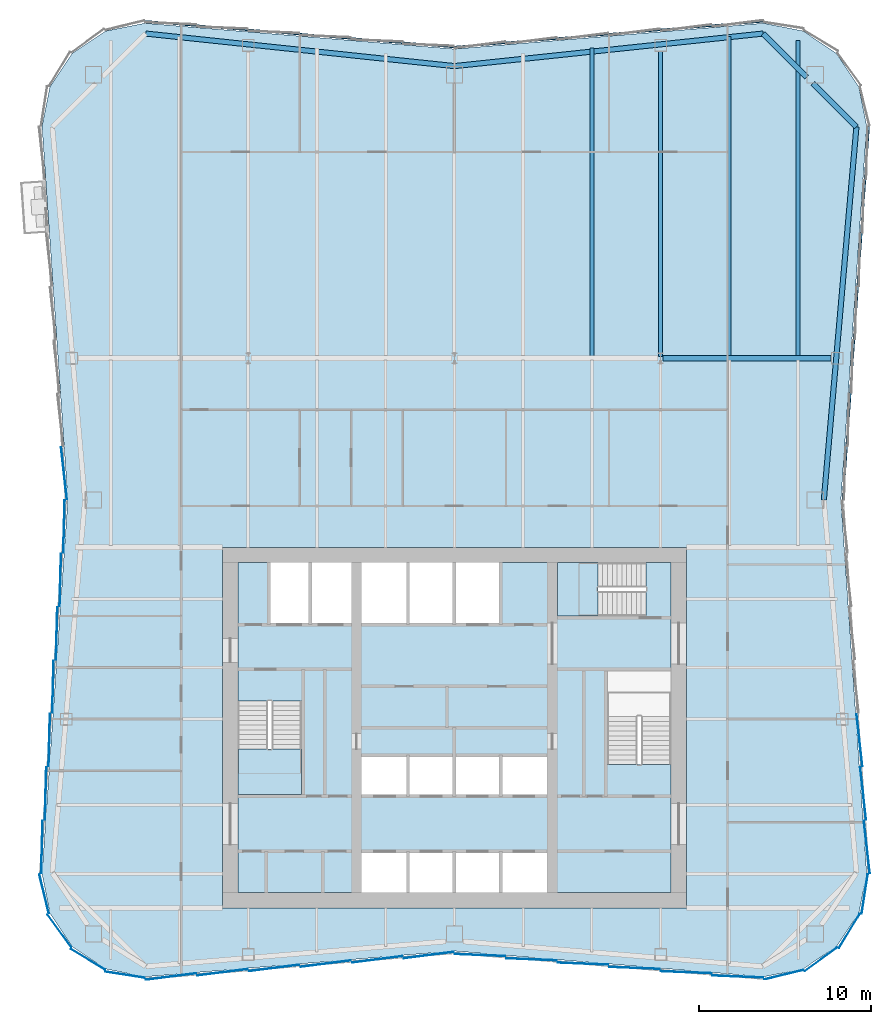
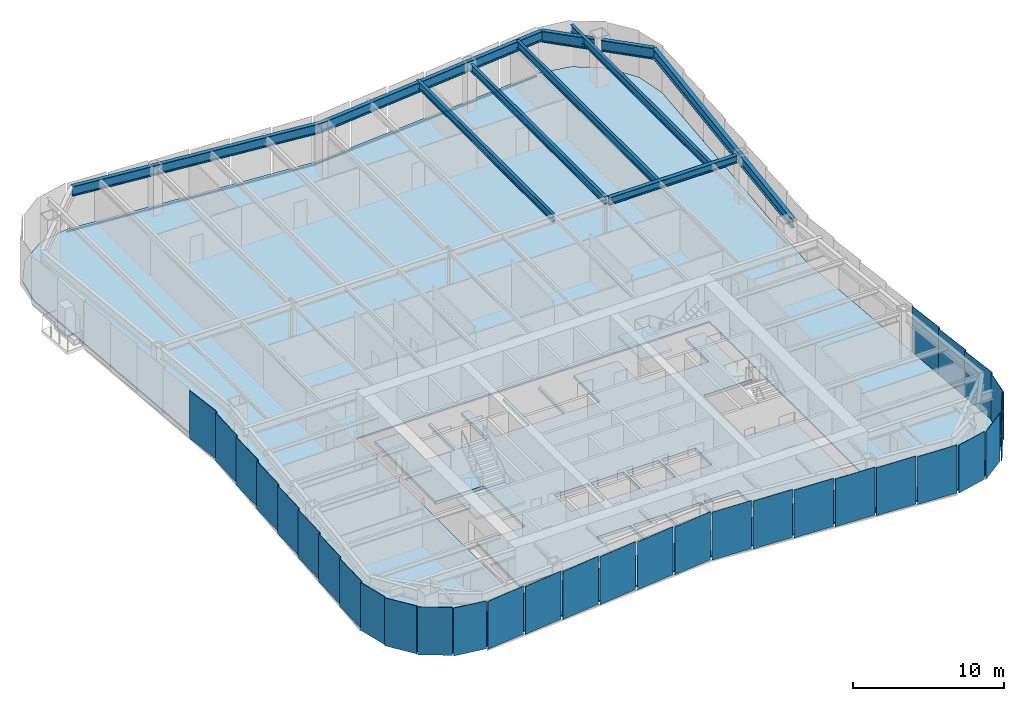
# One storey, part 3 of 10: 31 plates, 10 beams, 4 slabs, 3 members, 8 elements without a shape of their own.
"""IFC4 building model written with IfcOpenShell, lengths in metres."""

from ifc_helpers import new_model, si_unit, direction, frame, origin, origin_2d, place, context, subcontext, project, spatial, polyline, rectangle, i_section, outline, extrude, material, layer, layer_set, material_profile, profile_set, type_object, element, aggregate, save


model = new_model("IFC4")

# Units and contexts
model_context = context("Model", 3, precision=1e-05, world=origin(), true_north=direction((0.0, 1.0)))
body_context = subcontext(model_context, "Body", "Model", "MODEL_VIEW")
ifc_project = project(units=[si_unit("LENGTHUNIT", "METRE"), si_unit("AREAUNIT", "SQUARE_METRE"), si_unit("VOLUMEUNIT", "CUBIC_METRE"), si_unit("PLANEANGLEUNIT", "RADIAN"), si_unit("MASSUNIT", "GRAM", prefix="KILO")], contexts=[model_context])

# Site, building, storey
site_placement = place(None, origin())
site = spatial("IfcSite", under=ifc_project, at=site_placement, CompositionType="ELEMENT")
building_placement = place(site_placement, origin())
building = spatial("IfcBuilding", under=site, at=building_placement, Name="Verdant Reach Tower", CompositionType="ELEMENT")
storey_placement = place(building_placement, frame((0.0, 0.0, 202.0)))
storey = spatial("IfcBuildingStorey", under=building, at=storey_placement, Name="L46", CompositionType="ELEMENT", Elevation=202.0)

# Curtain wall, member
ifc_material_1 = material(Name="Anodised aluminium", Category="aluminium")
curtain_wall_type = type_object("IfcCurtainWallType", Name="EN-CW SYSTEM Z3", PredefinedType="NOTDEFINED", material=ifc_material_1)
curtain_wall_1_placement = place(storey_placement, origin())
curtain_wall_1 = element("IfcCurtainWall", 1, at=curtain_wall_1_placement, inside=storey, type_object=curtain_wall_type, Name="Curtain wall east, L46", PredefinedType="NOTDEFINED")
ifc_material_profile_1 = material_profile(ifc_material_1, rectangle(XDim=0.10009765625, YDim=0.1259765625, at=origin_2d()), Name="Transom 126x100")
ifc_profile_set_1 = profile_set([ifc_material_profile_1], Name="Anodised aluminium")
member_type = type_object("IfcMemberType", Name="EN-TRANSOM Z3", PredefinedType="USERDEFINED", material=ifc_profile_set_1)
member_1_placement = place(storey_placement, frame((22.611328125, 41.282958984375, -0.287109375), z_axis=(0.068764326054, 0.997632932226, 0.0), x_axis=(-0.997632932226, 0.068764326054, 0.0)))
member_1 = element("IfcMember", 2, at=member_1_placement, type_object=member_type, Name="Transom east face part 2 1.1, L46", ObjectType="TRANSOM", PredefinedType="USERDEFINED", context=body_context, shape_type="SweptSolid", body=[
    extrude(rectangle(XDim=0.10009765625, YDim=0.1259765625, at=origin_2d()), origin(), (0.0, 0.0, 1.0), 21.74267578125),
])

# Curtain wall, members
curtain_wall_2_placement = place(storey_placement, origin())
curtain_wall_2 = element("IfcCurtainWall", 3, at=curtain_wall_2_placement, inside=storey, type_object=curtain_wall_type, Name="Curtain wall north, L46", PredefinedType="NOTDEFINED")
member_2_placement = place(storey_placement, frame((17.973388671875, 69.106201171875, -0.287109375), z_axis=(-0.996548750467, -0.083009565369, 0.0), x_axis=(0.083009565369, -0.996548750467, 0.0)))
member_2 = element("IfcMember", 4, at=member_2_placement, type_object=member_type, Name="Transom north face part 1 1.1, L46", ObjectType="TRANSOM", PredefinedType="USERDEFINED", context=body_context, shape_type="SweptSolid", body=[
    extrude(rectangle(XDim=0.10009765625, YDim=0.1259765625, at=origin_2d()), origin(), (0.0, 0.0, 1.0), 18.00244140625),
])
member_3_placement = place(storey_placement, frame((-0.032958984375, 67.61181640625, -0.287109375), z_axis=(-0.996548750467, 0.083009565369, 0.0), x_axis=(-0.083009565369, -0.996548750467, 0.0)))
member_3 = element("IfcMember", 5, at=member_3_placement, type_object=member_type, Name="Transom north face part 2 1.1, L46", ObjectType="TRANSOM", PredefinedType="USERDEFINED", context=body_context, shape_type="SweptSolid", body=[
    extrude(rectangle(XDim=0.10009765625, YDim=0.1259765625, at=origin_2d()), origin(), (0.0, 0.0, 1.0), 18.00244140625),
])
aggregate(curtain_wall_2, [member_2, member_3])

# Beams
ifc_material_2 = material(Name="Steel S355", Category="steel")
ifc_material_profile_2 = material_profile(ifc_material_2, i_section(OverallWidth=0.300048828125, OverallDepth=0.60009765625, WebThickness=0.015380859375, FlangeThickness=0.030029296875, FilletRadius=0.027099609375, at=origin_2d()), Name="HEB 600")
ifc_profile_set_2 = profile_set([ifc_material_profile_2], Name="Steel S355")
beam_type_1 = type_object("IfcBeamType", Name="ST-BEAM-HEB600", PredefinedType="BEAM", material=ifc_profile_set_2)
beam_1_placement = place(storey_placement, frame((12.152587890625, 49.5, 3.570068359375), z_axis=(1.0, 0.0, 0.0), x_axis=(0.0, 1.0, 0.0)))
element("IfcBeam", 6, at=beam_1_placement, inside=storey, type_object=beam_type_1, Name="Row girder, L46", PredefinedType="BEAM", context=body_context, shape_type="SweptSolid", body=[
    extrude(i_section(OverallWidth=0.300048828125, OverallDepth=0.60009765625, WebThickness=0.015380859375, FlangeThickness=0.030029296875, FilletRadius=0.027099609375, at=origin_2d()), origin(), (0.0, 0.0, 1.0), 9.766357421875),
])
ifc_material_profile_3 = material_profile(ifc_material_2, i_section(OverallWidth=0.219970703125, OverallDepth=0.60009765625, WebThickness=0.011962890625, FlangeThickness=0.01904296875, FilletRadius=0.02392578125, at=origin_2d()), Name="IPE 600")
ifc_profile_set_3 = profile_set([ifc_material_profile_3], Name="Steel S355")
beam_type_2 = type_object("IfcBeamType", Name="ST-JOIST-IPE600", PredefinedType="JOIST", material=ifc_profile_set_3)
beam_2_placement = place(storey_placement, frame((8.0, 49.60009765625, 3.570068359375), z_axis=(0.0, 1.0, 0.0), x_axis=(-1.0, 0.0, 0.0)))
element("IfcBeam", 7, at=beam_2_placement, inside=storey, type_object=beam_type_2, Name="Floor joist, L46", PredefinedType="JOIST", context=body_context, shape_type="SweptSolid", body=[
    extrude(i_section(OverallWidth=0.219970703125, OverallDepth=0.60009765625, WebThickness=0.011962890625, FlangeThickness=0.01904296875, FilletRadius=0.02392578125, at=origin_2d()), origin(), (0.0, 0.0, 1.0), 17.964599609375),
])
beam_3_placement = place(storey_placement, frame((12.0, 49.60009765625, 3.570068359375), z_axis=(0.0, 1.0, 0.0), x_axis=(-1.0, 0.0, 0.0)))
element("IfcBeam", 8, at=beam_3_placement, inside=storey, type_object=beam_type_2, Name="Floor joist, L46", PredefinedType="JOIST", context=body_context, shape_type="SweptSolid", body=[
    extrude(i_section(OverallWidth=0.219970703125, OverallDepth=0.60009765625, WebThickness=0.011962890625, FlangeThickness=0.01904296875, FilletRadius=0.02392578125, at=origin_2d()), origin(), (0.0, 0.0, 1.0), 17.75),
])
beam_4_placement = place(storey_placement, frame((16.0, 49.60009765625, 3.570068359375), z_axis=(0.0, 1.0, 0.0), x_axis=(-1.0, 0.0, 0.0)))
element("IfcBeam", 9, at=beam_4_placement, inside=storey, type_object=beam_type_2, Name="Floor joist, L46", PredefinedType="JOIST", context=body_context, shape_type="SweptSolid", body=[
    extrude(i_section(OverallWidth=0.219970703125, OverallDepth=0.60009765625, WebThickness=0.011962890625, FlangeThickness=0.01904296875, FilletRadius=0.02392578125, at=origin_2d()), origin(), (0.0, 0.0, 1.0), 18.631103515625),
])
beam_5_placement = place(storey_placement, frame((20.0, 49.60009765625, 3.570068359375), z_axis=(0.0, 1.0, 0.0), x_axis=(-1.0, 0.0, 0.0)))
element("IfcBeam", 10, at=beam_5_placement, inside=storey, type_object=beam_type_2, Name="Floor joist, L46", PredefinedType="JOIST", context=body_context, shape_type="SweptSolid", body=[
    extrude(i_section(OverallWidth=0.219970703125, OverallDepth=0.60009765625, WebThickness=0.011962890625, FlangeThickness=0.01904296875, FilletRadius=0.02392578125, at=origin_2d()), origin(), (0.0, 0.0, 1.0), 18.390380859375),
])
ifc_material_profile_4 = material_profile(ifc_material_2, i_section(OverallWidth=0.300048828125, OverallDepth=0.800048828125, WebThickness=0.017578125, FlangeThickness=0.032958984375, FilletRadius=0.030029296875, at=origin_2d()), Name="HEB 800")
ifc_profile_set_4 = profile_set([ifc_material_profile_4], Name="Steel S355")
beam_type_3 = type_object("IfcBeamType", Name="ST-SPANDREL-HEB800", PredefinedType="SPANDREL", material=ifc_profile_set_4)
for number, where, z_axis, x_axis, name in (
    (11, (-17.9658203125, 68.39501953125, 3.469970703125), (0.994483067002, -0.104897232783, 0.0), (0.104897232783, 0.994483067002, 0.0), "Edge beam, L46"),
    (12, (0.0, 66.5, 3.469970703125), (0.994483067002, 0.104897232783, 0.0), (-0.104897232783, 0.994483067002, 0.0), "Edge beam, L46"),
):
    element("IfcBeam", number, at=place(storey_placement, frame(where, z_axis=z_axis, x_axis=x_axis)), inside=storey, type_object=beam_type_3, Name=name, PredefinedType="SPANDREL", context=body_context, shape_type="SweptSolid", body=[
        extrude(i_section(OverallWidth=0.300048828125, OverallDepth=0.800048828125, WebThickness=0.017578125, FlangeThickness=0.032958984375, FilletRadius=0.030029296875, at=origin_2d()), origin(), (0.0, 0.0, 1.0), 18.0654296875),
    ])
beam_6_placement = place(storey_placement, frame((23.39599609375, 62.96142578125, 3.469970703125), z_axis=(-0.086996024331, -0.996208658741, 0.0), x_axis=(0.996208658741, -0.086996024331, 0.0)))
element("IfcBeam", 13, at=beam_6_placement, inside=storey, type_object=beam_type_3, Name="Edge beam, L46", PredefinedType="SPANDREL", context=body_context, shape_type="SweptSolid", body=[
    extrude(i_section(OverallWidth=0.300048828125, OverallDepth=0.800048828125, WebThickness=0.017578125, FlangeThickness=0.032958984375, FilletRadius=0.030029296875, at=origin_2d()), origin(), (0.0, 0.0, 1.0), 21.7939453125),
])
ifc_material_profile_5 = material_profile(ifc_material_2, i_section(OverallWidth=0.302001953125, OverallDepth=0.909912109375, WebThickness=0.02099609375, FlangeThickness=0.0400390625, FilletRadius=0.030029296875, at=origin_2d()), Name="HEM 900")
ifc_profile_set_5 = profile_set([ifc_material_profile_5], Name="Steel S355")
beam_type_4 = type_object("IfcBeamType", Name="ST-SPANDREL-HEM900", PredefinedType="SPANDREL", material=ifc_profile_set_5)
beam_7_placement = place(storey_placement, frame((17.9658203125, 68.39501953125, 3.4150390625), z_axis=(0.706868394255, -0.707345087777, 0.0), x_axis=(0.707345087777, 0.706868394255, 0.0)))
element("IfcBeam", 14, at=beam_7_placement, inside=storey, type_object=beam_type_4, Name="Edge beam, L46", PredefinedType="SPANDREL", context=body_context, shape_type="SweptSolid", body=[
    extrude(i_section(OverallWidth=0.302001953125, OverallDepth=0.909912109375, WebThickness=0.02099609375, FlangeThickness=0.0400390625, FilletRadius=0.030029296875, at=origin_2d()), origin(), (0.0, 0.0, 1.0), 3.5849609375),
])
beam_8_placement = place(storey_placement, frame((20.85888671875, 65.5, 3.4150390625), z_axis=(0.706902680526, -0.707310822952, 0.0), x_axis=(0.707310822952, 0.706902680526, 0.0)))
element("IfcBeam", 15, at=beam_8_placement, inside=storey, type_object=beam_type_4, Name="Edge beam, L46", PredefinedType="SPANDREL", context=body_context, shape_type="SweptSolid", body=[
    extrude(i_section(OverallWidth=0.302001953125, OverallDepth=0.909912109375, WebThickness=0.02099609375, FlangeThickness=0.0400390625, FilletRadius=0.030029296875, at=origin_2d()), origin(), (0.0, 0.0, 1.0), 3.589111328125),
])

# Stair, slab
ifc_material_3 = material(Name="Concrete C40/50", Category="concrete")
stair_type = type_object("IfcStairType", Name="CO-STAIR", PredefinedType="HALF_TURN_STAIR", material=ifc_material_3)
stair_1_placement = place(storey_placement, origin())
stair_1 = element("IfcStair", 16, at=stair_1_placement, inside=storey, type_object=stair_type, Name="L46 Exit stair 1", PredefinedType="HALF_TURN_STAIR")
ifc_layer_1 = layer(ifc_material_3, 0.199951171875)
ifc_layer_set_1 = layer_set([ifc_layer_1], Name="CO-STAIR-LANDING")
slab_type_1 = type_object("IfcSlabType", Name="CO-STAIR-LANDING", PredefinedType="LANDING", material=ifc_layer_set_1)
slab_1_placement = place(storey_placement, frame((0.0, 0.0, 1.800048828125)))
slab_1 = element("IfcSlab", 17, at=slab_1_placement, type_object=slab_type_1, Name="ST-1 landing 1", PredefinedType="LANDING", context=body_context, shape_type="SweptSolid", body=[
    extrude(outline(polyline([(-12.60009765625, 26.75), (-12.60009765625, 24.10009765625), (-8.89990234375, 24.10009765625), (-8.89990234375, 26.75), (-12.60009765625, 26.75)])), origin(), (0.0, 0.0, 1.0), 0.199951171875),
])
aggregate(stair_1, [slab_1])

stair_2_placement = place(storey_placement, origin())
stair_2 = element("IfcStair", 18, at=stair_2_placement, inside=storey, type_object=stair_type, Name="L46 Exit stair 3", PredefinedType="HALF_TURN_STAIR")
slab_2_placement = place(storey_placement, frame((0.0, 0.0, 1.800048828125)))
slab_2 = element("IfcSlab", 19, at=slab_2_placement, type_object=slab_type_1, Name="ST-3 landing 1", PredefinedType="LANDING", context=body_context, shape_type="SweptSolid", body=[
    extrude(outline(polyline([(8.35009765625, 37.60009765625), (6.0, 37.60009765625), (6.0, 34.5), (8.35009765625, 34.5), (8.35009765625, 37.60009765625)])), origin(), (0.0, 0.0, 1.0), 0.199951171875),
])
aggregate(stair_2, [slab_2])

# Curtain wall, plate
curtain_wall_3_placement = place(storey_placement, origin())
curtain_wall_3 = element("IfcCurtainWall", 20, at=curtain_wall_3_placement, inside=storey, type_object=curtain_wall_type, Name="Curtain wall south-east corner, L46", PredefinedType="NOTDEFINED")
ifc_material_4 = material(Name="Tinted glass with champagne spandrel", Category="glass")
ifc_layer_2 = layer(ifc_material_4, 0.031982421875)
ifc_layer_set_2 = layer_set([ifc_layer_2], Name="EN-PANEL CHAMPAGNE")
plate_type_1 = type_object("IfcPlateType", Name="EN-PANEL CHAMPAGNE", PredefinedType="CURTAIN_PANEL", material=ifc_layer_set_2)
plate_1_placement = place(storey_placement, frame((19.171875, 13.62353515625, -0.22412109375), z_axis=(0.0, 0.0, 1.0), x_axis=(0.971655117833, 0.236402901821, 0.0)))
plate_1 = element("IfcPlate", 21, at=plate_1_placement, type_object=plate_type_1, Name="Glass panel south-east corner 1.1, L46", PredefinedType="CURTAIN_PANEL", context=body_context, shape_type="SweptSolid", body=[
    extrude(rectangle(XDim=2.3154296875, YDim=0.031982421875, at=origin_2d()), origin(), (0.0, 0.0, 1.0), 3.8740234375),
])

# Curtain wall, plates
curtain_wall_4_placement = place(storey_placement, origin())
curtain_wall_4 = element("IfcCurtainWall", 22, at=curtain_wall_4_placement, inside=storey, type_object=curtain_wall_type, Name="Curtain wall west, L46", PredefinedType="NOTDEFINED")
plate_2_placement = place(storey_placement, frame((-23.358642578125, 30.382568359375, -0.22412109375), z_axis=(0.0, 0.0, 1.0), x_axis=(-0.026965318308, -0.999636369691, 0.0)))
plate_2 = element("IfcPlate", 23, at=plate_2_placement, type_object=plate_type_1, Name="Glass panel west face part 2 4.1, L46", PredefinedType="CURTAIN_PANEL", context=body_context, shape_type="SweptSolid", body=[
    extrude(rectangle(XDim=3.052490234375, YDim=0.031982421875, at=origin_2d()), origin(), (0.0, 0.0, 1.0), 3.8740234375),
])
plate_3_placement = place(storey_placement, frame((-23.572998046875, 27.275390625, -0.22412109375), z_axis=(0.0, 0.0, 1.0), x_axis=(-0.026965318308, -0.999636369691, 0.0)))
plate_3 = element("IfcPlate", 24, at=plate_3_placement, type_object=plate_type_1, Name="Glass panel west face part 2 5.1, L46", PredefinedType="CURTAIN_PANEL", context=body_context, shape_type="SweptSolid", body=[
    extrude(rectangle(XDim=3.052490234375, YDim=0.031982421875, at=origin_2d()), origin(), (0.0, 0.0, 1.0), 3.8740234375),
])

curtain_wall_5_placement = place(storey_placement, origin())
curtain_wall_5 = element("IfcCurtainWall", 25, at=curtain_wall_5_placement, inside=storey, type_object=curtain_wall_type, Name="Curtain wall south-west corner, L46", PredefinedType="NOTDEFINED")
plate_4_placement = place(storey_placement, frame((-22.98193359375, 16.171142578125, -0.22412109375), z_axis=(0.0, 0.0, 1.0), x_axis=(0.589926747542, -0.807456768214, 0.0)))
plate_4 = element("IfcPlate", 26, at=plate_4_placement, type_object=plate_type_1, Name="Glass panel south-west corner 2.1, L46", PredefinedType="CURTAIN_PANEL", context=body_context, shape_type="SweptSolid", body=[
    extrude(rectangle(XDim=2.321533203125, YDim=0.031982421875, at=origin_2d()), origin(), (0.0, 0.0, 1.0), 3.8740234375),
])
plate_5_placement = place(storey_placement, frame((-21.328857421875, 14.51806640625, -0.22412109375), z_axis=(0.0, 0.0, 1.0), x_axis=(0.853988701636, -0.520291550457, 0.0)))
plate_5 = element("IfcPlate", 27, at=plate_5_placement, type_object=plate_type_1, Name="Glass panel south-west corner 3.1, L46", PredefinedType="CURTAIN_PANEL", context=body_context, shape_type="SweptSolid", body=[
    extrude(rectangle(XDim=2.321533203125, YDim=0.031982421875, at=origin_2d()), origin(), (0.0, 0.0, 1.0), 3.8740234375),
])
plate_6_placement = place(storey_placement, frame((-19.171875, 13.62353515625, -0.22412109375), z_axis=(0.0, 0.0, 1.0), x_axis=(0.988029071555, -0.154267798848, 0.0)))
plate_6 = element("IfcPlate", 28, at=plate_6_placement, type_object=plate_type_1, Name="Glass panel south-west corner 4.1, L46", PredefinedType="CURTAIN_PANEL", context=body_context, shape_type="SweptSolid", body=[
    extrude(rectangle(XDim=2.3154296875, YDim=0.031982421875, at=origin_2d()), origin(), (0.0, 0.0, 1.0), 3.8740234375),
])

curtain_wall_6_placement = place(storey_placement, origin())
curtain_wall_6 = element("IfcCurtainWall", 29, at=curtain_wall_6_placement, inside=storey, type_object=curtain_wall_type, Name="Curtain wall south, L46", PredefinedType="NOTDEFINED")
plate_7_placement = place(storey_placement, frame((-16.49853515625, 13.516357421875, -0.22412109375), z_axis=(0.0, 0.0, 1.0), x_axis=(0.992237766434, 0.124355196363, 0.0)))
plate_7 = element("IfcPlate", 30, at=plate_7_placement, type_object=plate_type_1, Name="Glass panel south face part 1 1.1, L46", PredefinedType="CURTAIN_PANEL", context=body_context, shape_type="SweptSolid", body=[
    extrude(rectangle(XDim=2.963623046875, YDim=0.031982421875, at=origin_2d()), origin(), (0.0, 0.0, 1.0), 3.8740234375),
])
plate_8_placement = place(storey_placement, frame((1.495361328125, 14.76611328125, -0.22412109375), z_axis=(0.0, 0.0, 1.0), x_axis=(0.999144020525, -0.041366970501, 0.0)))
plate_8 = element("IfcPlate", 31, at=plate_8_placement, type_object=plate_type_1, Name="Glass panel south face part 2 1.1, L46", PredefinedType="CURTAIN_PANEL", context=body_context, shape_type="SweptSolid", body=[
    extrude(rectangle(XDim=2.939453125, YDim=0.031982421875, at=origin_2d()), origin(), (0.0, 0.0, 1.0), 3.8740234375),
])
plate_9_placement = place(storey_placement, frame((4.490966796875, 14.516357421875, -0.22412109375), z_axis=(0.0, 0.0, 1.0), x_axis=(0.999149202059, -0.041241629766, 0.0)))
plate_9 = element("IfcPlate", 32, at=plate_9_placement, type_object=plate_type_1, Name="Glass panel south face part 2 2.1, L46", PredefinedType="CURTAIN_PANEL", context=body_context, shape_type="SweptSolid", body=[
    extrude(rectangle(XDim=2.948486328125, YDim=0.031982421875, at=origin_2d()), origin(), (0.0, 0.0, 1.0), 3.8740234375),
])
plate_10_placement = place(storey_placement, frame((7.490966796875, 14.266357421875, -0.22412109375), z_axis=(0.0, 0.0, 1.0), x_axis=(0.999149202059, -0.041241629766, 0.0)))
plate_10 = element("IfcPlate", 33, at=plate_10_placement, type_object=plate_type_1, Name="Glass panel south face part 2 3.1, L46", PredefinedType="CURTAIN_PANEL", context=body_context, shape_type="SweptSolid", body=[
    extrude(rectangle(XDim=2.948486328125, YDim=0.031982421875, at=origin_2d()), origin(), (0.0, 0.0, 1.0), 3.8740234375),
])

# Plate
ifc_material_5 = material(Name="Tinted glass with copper spandrel", Category="glass")
ifc_layer_3 = layer(ifc_material_5, 0.031982421875)
ifc_layer_set_3 = layer_set([ifc_layer_3], Name="EN-PANEL COPPER")
plate_type_2 = type_object("IfcPlateType", Name="EN-PANEL COPPER", PredefinedType="CURTAIN_PANEL", material=ifc_layer_set_3)
plate_11_placement = place(storey_placement, frame((21.328857421875, 14.51806640625, -0.22412109375), z_axis=(0.0, 0.0, 1.0), x_axis=(0.807456768214, 0.589926747542, 0.0)))
plate_11 = element("IfcPlate", 34, at=plate_11_placement, type_object=plate_type_2, Name="Glass panel south-east corner 2.1, L46", PredefinedType="CURTAIN_PANEL", context=body_context, shape_type="SweptSolid", body=[
    extrude(rectangle(XDim=2.321533203125, YDim=0.031982421875, at=origin_2d()), origin(), (0.0, 0.0, 1.0), 3.8740234375),
])

plate_12_placement = place(storey_placement, frame((22.98193359375, 16.171142578125, -0.22412109375), z_axis=(0.0, 0.0, 1.0), x_axis=(0.520291550457, 0.853988701636, 0.0)))
plate_12 = element("IfcPlate", 35, at=plate_12_placement, type_object=plate_type_2, Name="Glass panel south-east corner 3.1, L46", PredefinedType="CURTAIN_PANEL", context=body_context, shape_type="SweptSolid", body=[
    extrude(rectangle(XDim=2.321533203125, YDim=0.031982421875, at=origin_2d()), origin(), (0.0, 0.0, 1.0), 3.8740234375),
])

plate_13_placement = place(storey_placement, frame((23.87646484375, 18.32763671875, -0.22412109375), z_axis=(0.0, 0.0, 1.0), x_axis=(0.154311870796, 0.988022189291, 0.0)))
plate_13 = element("IfcPlate", 36, at=plate_13_placement, type_object=plate_type_2, Name="Glass panel south-east corner 4.1, L46", PredefinedType="CURTAIN_PANEL", context=body_context, shape_type="SweptSolid", body=[
    extrude(rectangle(XDim=2.314697265625, YDim=0.031982421875, at=origin_2d()), origin(), (0.0, 0.0, 1.0), 3.8740234375),
])

aggregate(curtain_wall_3, [plate_1, plate_11, plate_12, plate_13])

plate_14_placement = place(storey_placement, frame((24.001708984375, 21.053955078125, -0.22412109375), z_axis=(0.0, 0.0, 1.0), x_axis=(-0.110214229533, 0.993907854687, 0.0)))
plate_14 = element("IfcPlate", 37, at=plate_14_placement, type_object=plate_type_2, Name="Glass panel east face part 1 1.1, L46", PredefinedType="CURTAIN_PANEL", context=body_context, shape_type="SweptSolid", body=[
    extrude(rectangle(XDim=3.06689453125, YDim=0.031982421875, at=origin_2d()), origin(), (0.0, 0.0, 1.0), 3.8740234375),
])

plate_15_placement = place(storey_placement, frame((23.787353515625, 24.168212890625, -0.22412109375), z_axis=(0.0, 0.0, 1.0), x_axis=(-0.110518162674, 0.993874104562, 0.0)))
plate_15 = element("IfcPlate", 38, at=plate_15_placement, type_object=plate_type_2, Name="Glass panel east face part 1 2.1, L46", PredefinedType="CURTAIN_PANEL", context=body_context, shape_type="SweptSolid", body=[
    extrude(rectangle(XDim=3.052490234375, YDim=0.031982421875, at=origin_2d()), origin(), (0.0, 0.0, 1.0), 3.8740234375),
])

plate_16_placement = place(storey_placement, frame((-23.787353515625, 24.168212890625, -0.22412109375), z_axis=(0.0, 0.0, 1.0), x_axis=(-0.026965318308, -0.999636369691, 0.0)))
plate_16 = element("IfcPlate", 39, at=plate_16_placement, type_object=plate_type_2, Name="Glass panel west face part 2 6.1, L46", PredefinedType="CURTAIN_PANEL", context=body_context, shape_type="SweptSolid", body=[
    extrude(rectangle(XDim=3.052490234375, YDim=0.031982421875, at=origin_2d()), origin(), (0.0, 0.0, 1.0), 3.8740234375),
])

plate_17_placement = place(storey_placement, frame((-24.001708984375, 21.053955078125, -0.22412109375), z_axis=(0.0, 0.0, 1.0), x_axis=(-0.026659626966, -0.999644568979, 0.0)))
plate_17 = element("IfcPlate", 40, at=plate_17_placement, type_object=plate_type_2, Name="Glass panel west face part 2 7.1, L46", PredefinedType="CURTAIN_PANEL", context=body_context, shape_type="SweptSolid", body=[
    extrude(rectangle(XDim=3.06689453125, YDim=0.031982421875, at=origin_2d()), origin(), (0.0, 0.0, 1.0), 3.8740234375),
])

plate_18_placement = place(storey_placement, frame((-13.490966796875, 13.766357421875, -0.22412109375), z_axis=(0.0, 0.0, 1.0), x_axis=(0.992194034542, 0.124703639961, 0.0)))
plate_18 = element("IfcPlate", 41, at=plate_18_placement, type_object=plate_type_2, Name="Glass panel south face part 1 2.1, L46", PredefinedType="CURTAIN_PANEL", context=body_context, shape_type="SweptSolid", body=[
    extrude(rectangle(XDim=2.948486328125, YDim=0.031982421875, at=origin_2d()), origin(), (0.0, 0.0, 1.0), 3.8740234375),
])

plate_19_placement = place(storey_placement, frame((-10.490966796875, 14.016357421875, -0.22412109375), z_axis=(0.0, 0.0, 1.0), x_axis=(0.992194034542, 0.124703639961, 0.0)))
plate_19 = element("IfcPlate", 42, at=plate_19_placement, type_object=plate_type_2, Name="Glass panel south face part 1 3.1, L46", PredefinedType="CURTAIN_PANEL", context=body_context, shape_type="SweptSolid", body=[
    extrude(rectangle(XDim=2.948486328125, YDim=0.031982421875, at=origin_2d()), origin(), (0.0, 0.0, 1.0), 3.8740234375),
])

plate_20_placement = place(storey_placement, frame((-7.490966796875, 14.266357421875, -0.22412109375), z_axis=(0.0, 0.0, 1.0), x_axis=(0.992194034542, 0.124703639961, 0.0)))
plate_20 = element("IfcPlate", 43, at=plate_20_placement, type_object=plate_type_2, Name="Glass panel south face part 1 4.1, L46", PredefinedType="CURTAIN_PANEL", context=body_context, shape_type="SweptSolid", body=[
    extrude(rectangle(XDim=2.948486328125, YDim=0.031982421875, at=origin_2d()), origin(), (0.0, 0.0, 1.0), 3.8740234375),
])

plate_21_placement = place(storey_placement, frame((10.490966796875, 14.016357421875, -0.22412109375), z_axis=(0.0, 0.0, 1.0), x_axis=(0.999149202059, -0.041241629766, 0.0)))
plate_21 = element("IfcPlate", 44, at=plate_21_placement, type_object=plate_type_2, Name="Glass panel south face part 2 4.1, L46", PredefinedType="CURTAIN_PANEL", context=body_context, shape_type="SweptSolid", body=[
    extrude(rectangle(XDim=2.948486328125, YDim=0.031982421875, at=origin_2d()), origin(), (0.0, 0.0, 1.0), 3.8740234375),
])

plate_22_placement = place(storey_placement, frame((13.490966796875, 13.766357421875, -0.22412109375), z_axis=(0.0, 0.0, 1.0), x_axis=(0.999149202059, -0.041241629766, 0.0)))
plate_22 = element("IfcPlate", 45, at=plate_22_placement, type_object=plate_type_2, Name="Glass panel south face part 2 5.1, L46", PredefinedType="CURTAIN_PANEL", context=body_context, shape_type="SweptSolid", body=[
    extrude(rectangle(XDim=2.948486328125, YDim=0.031982421875, at=origin_2d()), origin(), (0.0, 0.0, 1.0), 3.8740234375),
])

ifc_material_6 = material(Name="Tinted glass with dark bronze spandrel", Category="glass")
ifc_layer_4 = layer(ifc_material_6, 0.031982421875)
ifc_layer_set_4 = layer_set([ifc_layer_4], Name="EN-PANEL DARK")
plate_type_3 = type_object("IfcPlateType", Name="EN-PANEL DARK", PredefinedType="CURTAIN_PANEL", material=ifc_layer_set_4)
plate_23_placement = place(storey_placement, frame((23.572998046875, 27.275390625, -0.22412109375), z_axis=(0.0, 0.0, 1.0), x_axis=(-0.110518162674, 0.993874104562, 0.0)))
plate_23 = element("IfcPlate", 46, at=plate_23_placement, type_object=plate_type_3, Name="Glass panel east face part 1 3.1, L46", PredefinedType="CURTAIN_PANEL", context=body_context, shape_type="SweptSolid", body=[
    extrude(rectangle(XDim=3.052490234375, YDim=0.031982421875, at=origin_2d()), origin(), (0.0, 0.0, 1.0), 3.8740234375),
])

aggregate(curtain_wall_1, [plate_14, plate_15, plate_23, member_1])

plate_24_placement = place(storey_placement, frame((-22.716064453125, 42.7998046875, -0.22412109375), z_axis=(0.0, 0.0, 1.0), x_axis=(0.110600785385, -0.993864913493, 0.0)))
plate_24 = element("IfcPlate", 47, at=plate_24_placement, type_object=plate_type_3, Name="Glass panel west face part 1 7.1, L46", PredefinedType="CURTAIN_PANEL", context=body_context, shape_type="SweptSolid", body=[
    extrude(rectangle(XDim=3.044921875, YDim=0.031982421875, at=origin_2d()), origin(), (0.0, 0.0, 1.0), 3.8740234375),
])

plate_25_placement = place(storey_placement, frame((-22.716064453125, 39.7001953125, -0.22412109375), z_axis=(0.0, 0.0, 1.0), x_axis=(-0.027048420339, -0.999634124546, 0.0)))
plate_25 = element("IfcPlate", 48, at=plate_25_placement, type_object=plate_type_3, Name="Glass panel west face part 2 1.1, L46", PredefinedType="CURTAIN_PANEL", context=body_context, shape_type="SweptSolid", body=[
    extrude(rectangle(XDim=3.044921875, YDim=0.031982421875, at=origin_2d()), origin(), (0.0, 0.0, 1.0), 3.8740234375),
])

plate_26_placement = place(storey_placement, frame((-22.93017578125, 36.5966796875, -0.22412109375), z_axis=(0.0, 0.0, 1.0), x_axis=(-0.026965318308, -0.999636369691, 0.0)))
plate_26 = element("IfcPlate", 49, at=plate_26_placement, type_object=plate_type_3, Name="Glass panel west face part 2 2.1, L46", PredefinedType="CURTAIN_PANEL", context=body_context, shape_type="SweptSolid", body=[
    extrude(rectangle(XDim=3.052490234375, YDim=0.031982421875, at=origin_2d()), origin(), (0.0, 0.0, 1.0), 3.8740234375),
])

plate_27_placement = place(storey_placement, frame((-23.14453125, 33.48974609375, -0.22412109375), z_axis=(0.0, 0.0, 1.0), x_axis=(-0.026965318308, -0.999636369691, 0.0)))
plate_27 = element("IfcPlate", 50, at=plate_27_placement, type_object=plate_type_3, Name="Glass panel west face part 2 3.1, L46", PredefinedType="CURTAIN_PANEL", context=body_context, shape_type="SweptSolid", body=[
    extrude(rectangle(XDim=3.052490234375, YDim=0.031982421875, at=origin_2d()), origin(), (0.0, 0.0, 1.0), 3.8740234375),
])

aggregate(curtain_wall_4, [plate_24, plate_25, plate_26, plate_27, plate_2, plate_3, plate_16, plate_17])

plate_28_placement = place(storey_placement, frame((-23.87646484375, 18.32763671875, -0.22412109375), z_axis=(0.0, 0.0, 1.0), x_axis=(0.23644624331, -0.97164457186, 0.0)))
plate_28 = element("IfcPlate", 51, at=plate_28_placement, type_object=plate_type_3, Name="Glass panel south-west corner 1.1, L46", PredefinedType="CURTAIN_PANEL", context=body_context, shape_type="SweptSolid", body=[
    extrude(rectangle(XDim=2.314697265625, YDim=0.031982421875, at=origin_2d()), origin(), (0.0, 0.0, 1.0), 3.8740234375),
])

aggregate(curtain_wall_5, [plate_28, plate_4, plate_5, plate_6])

plate_29_placement = place(storey_placement, frame((-4.490966796875, 14.516357421875, -0.22412109375), z_axis=(0.0, 0.0, 1.0), x_axis=(0.992194034542, 0.124703639961, 0.0)))
plate_29 = element("IfcPlate", 52, at=plate_29_placement, type_object=plate_type_3, Name="Glass panel south face part 1 5.1, L46", PredefinedType="CURTAIN_PANEL", context=body_context, shape_type="SweptSolid", body=[
    extrude(rectangle(XDim=2.948486328125, YDim=0.031982421875, at=origin_2d()), origin(), (0.0, 0.0, 1.0), 3.8740234375),
])

plate_30_placement = place(storey_placement, frame((-1.495361328125, 14.76611328125, -0.22412109375), z_axis=(0.0, 0.0, 1.0), x_axis=(0.992178382939, 0.124828107529, 0.0)))
plate_30 = element("IfcPlate", 53, at=plate_30_placement, type_object=plate_type_3, Name="Glass panel south face part 1 6.1, L46", PredefinedType="CURTAIN_PANEL", context=body_context, shape_type="SweptSolid", body=[
    extrude(rectangle(XDim=2.939453125, YDim=0.031982421875, at=origin_2d()), origin(), (0.0, 0.0, 1.0), 3.8740234375),
])

plate_31_placement = place(storey_placement, frame((16.49853515625, 13.516357421875, -0.22412109375), z_axis=(0.0, 0.0, 1.0), x_axis=(0.999163623568, -0.040890748818, 0.0)))
plate_31 = element("IfcPlate", 54, at=plate_31_placement, type_object=plate_type_3, Name="Glass panel south face part 2 6.1, L46", PredefinedType="CURTAIN_PANEL", context=body_context, shape_type="SweptSolid", body=[
    extrude(rectangle(XDim=2.963623046875, YDim=0.031982421875, at=origin_2d()), origin(), (0.0, 0.0, 1.0), 3.8740234375),
])

aggregate(curtain_wall_6, [plate_7, plate_18, plate_19, plate_20, plate_29, plate_30, plate_8, plate_9, plate_10, plate_21, plate_22, plate_31])

# Slabs
ifc_material_7 = material(Name="Concrete C35/45", Category="concrete")
ifc_layer_5 = layer(ifc_material_7, 0.1298828125)
ifc_layer_set_5 = layer_set([ifc_layer_5], Name="ST-SLAB-130")
slab_type_2 = type_object("IfcSlabType", Name="ST-SLAB-130", PredefinedType="FLOOR", material=ifc_layer_set_5)
slab_3_placement = place(storey_placement, frame((0.0, 0.0, -0.1298828125)))
element("IfcSlab", 55, at=slab_3_placement, inside=storey, type_object=slab_type_2, Name="Floor slab L46", PredefinedType="FLOOR", context=body_context, shape_type="SweptSolid", body=[
    extrude(outline(polyline([(0.0, 15.0), (-18.0, 13.5), (-20.296142578125, 13.956787109375), (-22.24267578125, 15.25732421875), (-23.543212890625, 17.203857421875), (-24.0, 19.5), (-22.5, 41.25), (-24.0, 63.0), (-23.543212890625, 65.296142578125), (-22.24267578125, 67.24267578125), (-20.296142578125, 68.543212890625), (-18.0, 69.0), (0.0, 67.5), (18.0, 69.0), (20.296142578125, 68.543212890625), (22.24267578125, 67.24267578125), (23.543212890625, 65.296142578125), (24.0, 63.0), (22.5, 41.25), (24.0, 19.5), (23.543212890625, 17.203857421875), (22.24267578125, 15.25732421875), (20.296142578125, 13.956787109375), (18.0, 13.5), (0.0, 15.0)]), holes=[polyline([(13.5, 38.5), (-13.5, 38.5), (-13.5, 17.5), (13.5, 17.5), (13.5, 38.5)])]), origin(), (0.0, 0.0, 1.0), 0.1298828125),
])
ifc_layer_6 = layer(ifc_material_7, 0.25)
ifc_layer_set_6 = layer_set([ifc_layer_6], Name="ST-SLAB-250")
slab_type_3 = type_object("IfcSlabType", Name="ST-SLAB-250", PredefinedType="FLOOR", material=ifc_layer_set_6)
slab_4_placement = place(storey_placement, frame((0.0, 0.0, -0.25)))
element("IfcSlab", 56, at=slab_4_placement, inside=storey, type_object=slab_type_3, Name="Core floor slab L46", PredefinedType="FLOOR", context=body_context, shape_type="SweptSolid", body=[
    extrude(outline(polyline([(12.60009765625, 18.39990234375), (5.39990234375, 18.39990234375), (5.39990234375, 20.699951171875), (2.800048828125, 20.699951171875), (2.800048828125, 18.39990234375), (2.60009765625, 18.39990234375), (2.60009765625, 20.699951171875), (0.10009765625, 20.699951171875), (0.10009765625, 18.39990234375), (-0.10009765625, 18.39990234375), (-0.10009765625, 20.699951171875), (-2.60009765625, 20.699951171875), (-2.60009765625, 18.39990234375), (-2.800048828125, 18.39990234375), (-2.800048828125, 20.699951171875), (-5.39990234375, 20.699951171875), (-5.39990234375, 18.39990234375), (-12.60009765625, 18.39990234375), (-12.60009765625, 24.10009765625), (-8.89990234375, 24.10009765625), (-8.89990234375, 29.548095703125), (-12.60009765625, 29.548095703125), (-12.60009765625, 37.60009765625), (-10.699951171875, 37.60009765625), (-10.699951171875, 34.10009765625), (-8.5, 34.10009765625), (-8.5, 37.60009765625), (-8.300048828125, 37.60009765625), (-8.300048828125, 34.10009765625), (-6.0, 34.10009765625), (-6.0, 37.60009765625), (-5.39990234375, 37.60009765625), (-5.39990234375, 34.10009765625), (-2.800048828125, 34.10009765625), (-2.800048828125, 37.60009765625), (-2.60009765625, 37.60009765625), (-2.60009765625, 34.10009765625), (-0.10009765625, 34.10009765625), (-0.10009765625, 37.60009765625), (0.10009765625, 37.60009765625), (0.10009765625, 34.10009765625), (2.60009765625, 34.10009765625), (2.60009765625, 37.60009765625), (6.0, 37.60009765625), (6.0, 34.5), (11.14794921875, 34.5), (11.14794921875, 37.60009765625), (12.60009765625, 37.60009765625), (12.60009765625, 31.300048828125), (8.89990234375, 31.300048828125), (8.89990234375, 25.85205078125), (12.60009765625, 25.85205078125), (12.60009765625, 18.39990234375)]), holes=[polyline([(-2.800048828125, 24.10009765625), (-2.800048828125, 26.300048828125), (-5.39990234375, 26.300048828125), (-5.39990234375, 24.10009765625), (-2.800048828125, 24.10009765625)]), polyline([(-0.10009765625, 24.10009765625), (-0.10009765625, 26.300048828125), (-2.60009765625, 26.300048828125), (-2.60009765625, 24.10009765625), (-0.10009765625, 24.10009765625)]), polyline([(2.60009765625, 24.10009765625), (2.60009765625, 26.300048828125), (0.10009765625, 26.300048828125), (0.10009765625, 24.10009765625), (2.60009765625, 24.10009765625)]), polyline([(5.39990234375, 24.10009765625), (5.39990234375, 26.300048828125), (2.800048828125, 26.300048828125), (2.800048828125, 24.10009765625), (5.39990234375, 24.10009765625)])]), origin(), (0.0, 0.0, 1.0), 0.25),
])

save(model, "model.ifc")
